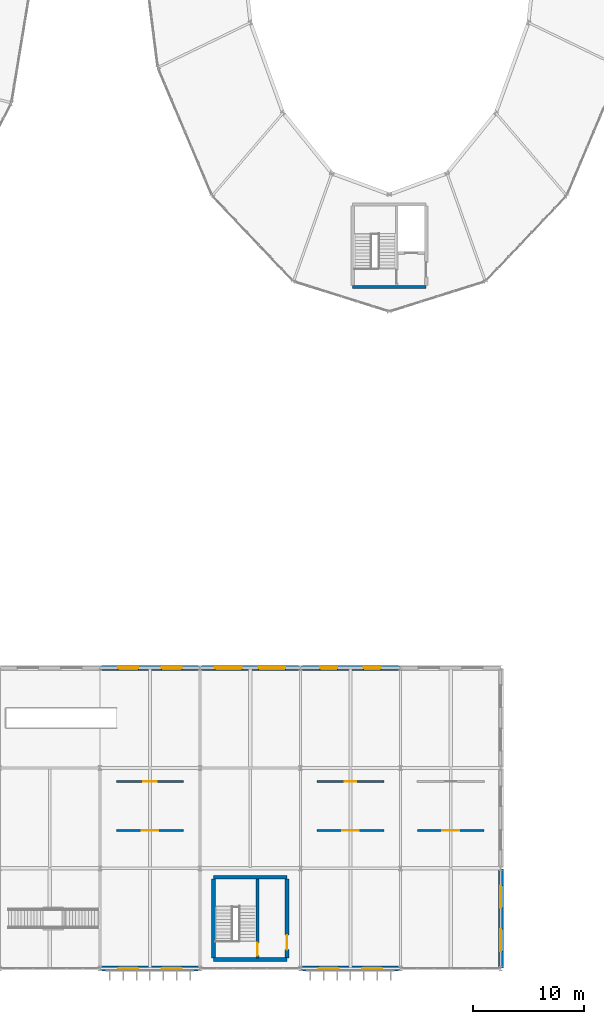
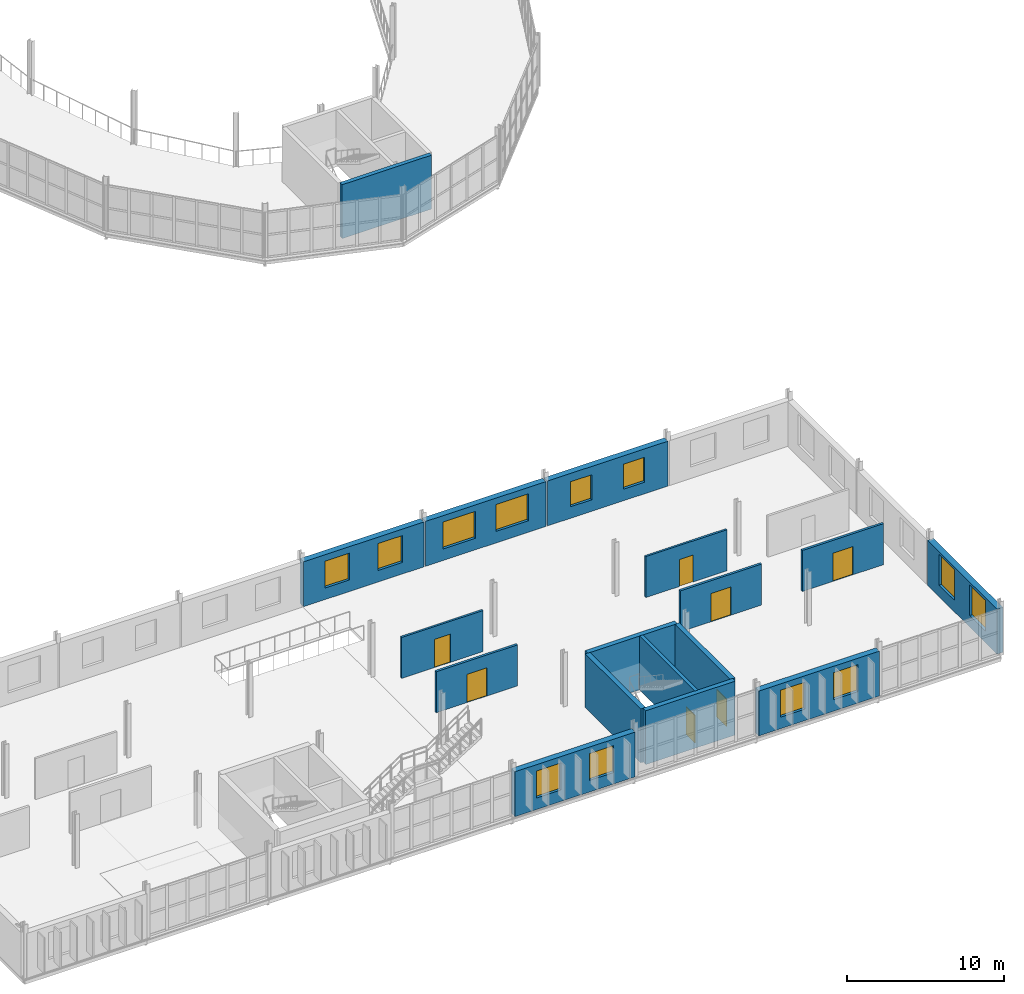
# One storey, part 140 of 161: 17 walls, 12 windows, 7 doors, 19 openings.
"""IFC4 building model written with IfcOpenShell, lengths in metres."""

from ifc_helpers import new_model, si_unit, direction, frame, frame_2d, origin, place, context, subcontext, project, spatial, rectangle, extrude, material, layer, layer_set, type_object, element, fill, save


model = new_model("IFC4")

# Units and contexts
model_context = context("Model", 3, precision=1e-05, world=origin(), true_north=direction((0.0, 1.0)))
body_context = subcontext(model_context, "Body", "Model", "MODEL_VIEW")
ifc_project = project(units=[si_unit("LENGTHUNIT", "METRE"), si_unit("AREAUNIT", "SQUARE_METRE"), si_unit("VOLUMEUNIT", "CUBIC_METRE"), si_unit("PLANEANGLEUNIT", "RADIAN"), si_unit("MASSUNIT", "GRAM", prefix="KILO")], contexts=[model_context])

# Site, building, storey
site_placement = place(None, origin())
site = spatial("IfcSite", under=ifc_project, at=site_placement, CompositionType="ELEMENT")
building_placement = place(site_placement, origin())
building = spatial("IfcBuilding", under=site, at=building_placement, Name="Kildeholm Park Wholesale Market", CompositionType="ELEMENT")
storey_placement = place(building_placement, frame((0.0, 0.0, 5.39990234375)))
storey = spatial("IfcBuildingStorey", under=building, at=storey_placement, Name="L01", CompositionType="ELEMENT", Elevation=5.39990234375)

# Wall, openings, windows
ifc_material_1 = material(Name="Insulated clinker brick and glazed ceramic mosaic facade wall", Category="masonry")
ifc_layer_1 = layer(ifc_material_1, 0.43994140625)
ifc_layer_set_1 = layer_set([ifc_layer_1], Name="Insulated clinker brick and glazed ceramic mosaic facade wall")
wall_type_1 = type_object("IfcWallType", Name="Exterior wall W-EX3 440 mm", PredefinedType="SOLIDWALL", material=ifc_layer_set_1)
wall_1_placement = place(storey_placement, frame((162.06005859375, 0.0, 0.0), z_axis=(0.0, 0.0, 1.0), x_axis=(1.0, 0.0, 0.0)))
wall_1 = element("IfcWall", 1, at=wall_1_placement, inside=storey, type_object=wall_type_1, Name="Exterior wall V5E-L01-S05.1 WL-0595", PredefinedType="SOLIDWALL", context=body_context, shape_type="SweptSolid", body=[
    extrude(rectangle(XDim=8.8798828125, YDim=0.43994140625, at=frame_2d((4.43994140625, 0.0))), origin(), (0.0, 0.0, 1.0), 3.5),
])
opening_1_placement = place(wall_1_placement, frame((1.5859375, 0.0, 0.89990234375)))
opening_1 = element("IfcOpeningElement", 2, at=opening_1_placement, cuts=wall_1, Name="Opening WN-02", PredefinedType="OPENING", context=body_context, shape_type="SweptSolid", body=[
    extrude(rectangle(XDim=1.800048828125, YDim=2.10009765625, at=frame_2d((0.89990234375, 1.050048828125))), frame((0.0, 0.22998046875, 0.0), z_axis=(0.0, -1.0, 0.0), x_axis=(1.0, 0.0, 0.0)), (0.0, 0.0, 1.0), 0.4599609375),
])
opening_2_placement = place(wall_1_placement, frame((5.493896484375, 0.0, 0.89990234375)))
opening_2 = element("IfcOpeningElement", 3, at=opening_2_placement, cuts=wall_1, Name="Opening WN-02", PredefinedType="OPENING", context=body_context, shape_type="SweptSolid", body=[
    extrude(rectangle(XDim=1.800048828125, YDim=2.10009765625, at=frame_2d((0.89990234375, 1.050048828125))), frame((0.0, 0.22998046875, 0.0), z_axis=(0.0, -1.0, 0.0), x_axis=(1.0, 0.0, 0.0)), (0.0, 0.0, 1.0), 0.4599609375),
])
ifc_material_2 = material(Name="Thermally broken aluminium and triple-glazed low-E glass", Category="aluminium")
window_type_1 = type_object("IfcWindowType", Name="Window WN-02 1800x2100", PartitioningType="DOUBLE_PANEL_VERTICAL", PredefinedType="WINDOW", material=ifc_material_2)
window_1_placement = place(opening_1_placement, origin())
window_1 = element("IfcWindow", 4, at=window_1_placement, inside=storey, type_object=window_type_1, Name="Window V5E-L01-S05.1.1 WIN-0384", OverallHeight=2.10009765625, OverallWidth=1.800048828125, PartitioningType="SINGLE_PANEL", PredefinedType="WINDOW", context=body_context, shape_type="SweptSolid", body=[
    extrude(rectangle(XDim=1.800048828125, YDim=2.10009765625, at=frame_2d((0.89990234375, 1.050048828125))), frame((0.0, 0.030029296875, 0.0), z_axis=(0.0, -1.0, 0.0), x_axis=(1.0, 0.0, 0.0)), (0.0, 0.0, 1.0), 0.06005859375),
])
fill(opening_1, window_1)
window_2_placement = place(opening_2_placement, origin())
window_2 = element("IfcWindow", 5, at=window_2_placement, inside=storey, type_object=window_type_1, Name="Window V5E-L01-S05.1.2 WIN-0385", OverallHeight=2.10009765625, OverallWidth=1.800048828125, PartitioningType="SINGLE_PANEL", PredefinedType="WINDOW", context=body_context, shape_type="SweptSolid", body=[
    extrude(rectangle(XDim=1.800048828125, YDim=2.10009765625, at=frame_2d((0.89990234375, 1.050048828125))), frame((0.0, 0.030029296875, 0.0), z_axis=(0.0, -1.0, 0.0), x_axis=(1.0, 0.0, 0.0)), (0.0, 0.0, 1.0), 0.06005859375),
])
fill(opening_2, window_2)

wall_2_placement = place(storey_placement, frame((180.06005859375, 0.0, 0.0), z_axis=(0.0, 0.0, 1.0), x_axis=(1.0, 0.0, 0.0)))
wall_2 = element("IfcWall", 6, at=wall_2_placement, inside=storey, type_object=wall_type_1, Name="Exterior wall V5E-L01-S07.1 WL-0596", PredefinedType="SOLIDWALL", context=body_context, shape_type="SweptSolid", body=[
    extrude(rectangle(XDim=8.8798828125, YDim=0.43994140625, at=frame_2d((4.43994140625, 0.0))), origin(), (0.0, 0.0, 1.0), 3.5),
])
opening_3_placement = place(wall_2_placement, frame((1.5859375, 0.0, 0.89990234375)))
opening_3 = element("IfcOpeningElement", 7, at=opening_3_placement, cuts=wall_2, Name="Opening WN-02", PredefinedType="OPENING", context=body_context, shape_type="SweptSolid", body=[
    extrude(rectangle(XDim=1.800048828125, YDim=2.10009765625, at=frame_2d((0.89990234375, 1.050048828125))), frame((0.0, 0.22998046875, 0.0), z_axis=(0.0, -1.0, 0.0), x_axis=(1.0, 0.0, 0.0)), (0.0, 0.0, 1.0), 0.4599609375),
])
opening_4_placement = place(wall_2_placement, frame((5.493896484375, 0.0, 0.89990234375)))
opening_4 = element("IfcOpeningElement", 8, at=opening_4_placement, cuts=wall_2, Name="Opening WN-02", PredefinedType="OPENING", context=body_context, shape_type="SweptSolid", body=[
    extrude(rectangle(XDim=1.800048828125, YDim=2.10009765625, at=frame_2d((0.89990234375, 1.050048828125))), frame((0.0, 0.22998046875, 0.0), z_axis=(0.0, -1.0, 0.0), x_axis=(1.0, 0.0, 0.0)), (0.0, 0.0, 1.0), 0.4599609375),
])
window_3_placement = place(opening_3_placement, origin())
window_3 = element("IfcWindow", 9, at=window_3_placement, inside=storey, type_object=window_type_1, Name="Window V5E-L01-S07.1.1 WIN-0386", OverallHeight=2.10009765625, OverallWidth=1.800048828125, PartitioningType="SINGLE_PANEL", PredefinedType="WINDOW", context=body_context, shape_type="SweptSolid", body=[
    extrude(rectangle(XDim=1.800048828125, YDim=2.10009765625, at=frame_2d((0.89990234375, 1.050048828125))), frame((0.0, 0.030029296875, 0.0), z_axis=(0.0, -1.0, 0.0), x_axis=(1.0, 0.0, 0.0)), (0.0, 0.0, 1.0), 0.06005859375),
])
fill(opening_3, window_3)
window_4_placement = place(opening_4_placement, origin())
window_4 = element("IfcWindow", 10, at=window_4_placement, inside=storey, type_object=window_type_1, Name="Window V5E-L01-S07.1.2 WIN-0387", OverallHeight=2.10009765625, OverallWidth=1.800048828125, PartitioningType="SINGLE_PANEL", PredefinedType="WINDOW", context=body_context, shape_type="SweptSolid", body=[
    extrude(rectangle(XDim=1.800048828125, YDim=2.10009765625, at=frame_2d((0.89990234375, 1.050048828125))), frame((0.0, 0.030029296875, 0.0), z_axis=(0.0, -1.0, 0.0), x_axis=(1.0, 0.0, 0.0)), (0.0, 0.0, 1.0), 0.06005859375),
])
fill(opening_4, window_4)

wall_3_placement = place(storey_placement, frame((162.06005859375, 27.0, 0.0), z_axis=(0.0, 0.0, 1.0), x_axis=(1.0, 0.0, 0.0)))
wall_3 = element("IfcWall", 11, at=wall_3_placement, inside=storey, type_object=wall_type_1, Name="Exterior wall V5E-L01-N.5 WL-0601", PredefinedType="SOLIDWALL", context=body_context, shape_type="SweptSolid", body=[
    extrude(rectangle(XDim=8.8798828125, YDim=0.43994140625, at=frame_2d((4.43994140625, 0.0))), origin(), (0.0, 0.0, 1.0), 3.5),
])
opening_5_placement = place(wall_3_placement, frame((1.5859375, 0.0, 0.89990234375)))
opening_5 = element("IfcOpeningElement", 12, at=opening_5_placement, cuts=wall_3, Name="Opening WN-02", PredefinedType="OPENING", context=body_context, shape_type="SweptSolid", body=[
    extrude(rectangle(XDim=1.800048828125, YDim=2.10009765625, at=frame_2d((0.89990234375, 1.050048828125))), frame((0.0, 0.22998046875, 0.0), z_axis=(0.0, -1.0, 0.0), x_axis=(1.0, 0.0, 0.0)), (0.0, 0.0, 1.0), 0.4599609375),
])
opening_6_placement = place(wall_3_placement, frame((5.493896484375, 0.0, 0.89990234375)))
opening_6 = element("IfcOpeningElement", 13, at=opening_6_placement, cuts=wall_3, Name="Opening WN-02", PredefinedType="OPENING", context=body_context, shape_type="SweptSolid", body=[
    extrude(rectangle(XDim=1.800048828125, YDim=2.10009765625, at=frame_2d((0.89990234375, 1.050048828125))), frame((0.0, 0.22998046875, 0.0), z_axis=(0.0, -1.0, 0.0), x_axis=(1.0, 0.0, 0.0)), (0.0, 0.0, 1.0), 0.4599609375),
])
window_5_placement = place(opening_5_placement, origin())
window_5 = element("IfcWindow", 14, at=window_5_placement, inside=storey, type_object=window_type_1, Name="Window V5E-L01-N.5.1 WIN-0396", OverallHeight=2.10009765625, OverallWidth=1.800048828125, PartitioningType="SINGLE_PANEL", PredefinedType="WINDOW", context=body_context, shape_type="SweptSolid", body=[
    extrude(rectangle(XDim=1.800048828125, YDim=2.10009765625, at=frame_2d((0.89990234375, 1.050048828125))), frame((0.0, 0.030029296875, 0.0), z_axis=(0.0, -1.0, 0.0), x_axis=(1.0, 0.0, 0.0)), (0.0, 0.0, 1.0), 0.06005859375),
])
fill(opening_5, window_5)
window_6_placement = place(opening_6_placement, origin())
window_6 = element("IfcWindow", 15, at=window_6_placement, inside=storey, type_object=window_type_1, Name="Window V5E-L01-N.5.2 WIN-0397", OverallHeight=2.10009765625, OverallWidth=1.800048828125, PartitioningType="SINGLE_PANEL", PredefinedType="WINDOW", context=body_context, shape_type="SweptSolid", body=[
    extrude(rectangle(XDim=1.800048828125, YDim=2.10009765625, at=frame_2d((0.89990234375, 1.050048828125))), frame((0.0, 0.030029296875, 0.0), z_axis=(0.0, -1.0, 0.0), x_axis=(1.0, 0.0, 0.0)), (0.0, 0.0, 1.0), 0.06005859375),
])
fill(opening_6, window_6)

wall_4_placement = place(storey_placement, frame((171.06005859375, 27.0, 0.0), z_axis=(0.0, 0.0, 1.0), x_axis=(1.0, 0.0, 0.0)))
wall_4 = element("IfcWall", 16, at=wall_4_placement, inside=storey, type_object=wall_type_1, Name="Exterior wall V5E-L01-N.6 WL-0602", PredefinedType="SOLIDWALL", context=body_context, shape_type="SweptSolid", body=[
    extrude(rectangle(XDim=8.8798828125, YDim=0.43994140625, at=frame_2d((4.43994140625, 0.0))), origin(), (0.0, 0.0, 1.0), 3.5),
])
opening_7_placement = place(wall_4_placement, frame((1.285888671875, 0.0, 0.89990234375)))
opening_7 = element("IfcOpeningElement", 17, at=opening_7_placement, cuts=wall_4, Name="Opening WN-04", PredefinedType="OPENING", context=body_context, shape_type="SweptSolid", body=[
    extrude(rectangle(XDim=2.39990234375, YDim=2.10009765625, at=frame_2d((1.199951171875, 1.050048828125))), frame((0.0, 0.22998046875, 0.0), z_axis=(0.0, -1.0, 0.0), x_axis=(1.0, 0.0, 0.0)), (0.0, 0.0, 1.0), 0.4599609375),
])
opening_8_placement = place(wall_4_placement, frame((5.194091796875, 0.0, 0.89990234375)))
opening_8 = element("IfcOpeningElement", 18, at=opening_8_placement, cuts=wall_4, Name="Opening WN-04", PredefinedType="OPENING", context=body_context, shape_type="SweptSolid", body=[
    extrude(rectangle(XDim=2.39990234375, YDim=2.10009765625, at=frame_2d((1.199951171875, 1.050048828125))), frame((0.0, 0.22998046875, 0.0), z_axis=(0.0, -1.0, 0.0), x_axis=(1.0, 0.0, 0.0)), (0.0, 0.0, 1.0), 0.4599609375),
])
window_type_2 = type_object("IfcWindowType", Name="Window WN-04 2400x2100", PartitioningType="TRIPLE_PANEL_VERTICAL", PredefinedType="WINDOW", material=ifc_material_2)
window_7_placement = place(opening_7_placement, origin())
window_7 = element("IfcWindow", 19, at=window_7_placement, inside=storey, type_object=window_type_2, Name="Window V5E-L01-N.6.1 WIN-0398", OverallHeight=2.10009765625, OverallWidth=2.39990234375, PartitioningType="SINGLE_PANEL", PredefinedType="WINDOW", context=body_context, shape_type="SweptSolid", body=[
    extrude(rectangle(XDim=2.39990234375, YDim=2.10009765625, at=frame_2d((1.199951171875, 1.050048828125))), frame((0.0, 0.030029296875, 0.0), z_axis=(0.0, -1.0, 0.0), x_axis=(1.0, 0.0, 0.0)), (0.0, 0.0, 1.0), 0.06005859375),
])
fill(opening_7, window_7)
window_8_placement = place(opening_8_placement, origin())
window_8 = element("IfcWindow", 20, at=window_8_placement, inside=storey, type_object=window_type_2, Name="Window V5E-L01-N.6.2 WIN-0399", OverallHeight=2.10009765625, OverallWidth=2.39990234375, PartitioningType="SINGLE_PANEL", PredefinedType="WINDOW", context=body_context, shape_type="SweptSolid", body=[
    extrude(rectangle(XDim=2.39990234375, YDim=2.10009765625, at=frame_2d((1.199951171875, 1.050048828125))), frame((0.0, 0.030029296875, 0.0), z_axis=(0.0, -1.0, 0.0), x_axis=(1.0, 0.0, 0.0)), (0.0, 0.0, 1.0), 0.06005859375),
])
fill(opening_8, window_8)

wall_5_placement = place(storey_placement, frame((180.06005859375, 27.0, 0.0), z_axis=(0.0, 0.0, 1.0), x_axis=(1.0, 0.0, 0.0)))
wall_5 = element("IfcWall", 21, at=wall_5_placement, inside=storey, type_object=wall_type_1, Name="Exterior wall V5E-L01-N.7 WL-0603", PredefinedType="SOLIDWALL", context=body_context, shape_type="SweptSolid", body=[
    extrude(rectangle(XDim=8.8798828125, YDim=0.43994140625, at=frame_2d((4.43994140625, 0.0))), origin(), (0.0, 0.0, 1.0), 3.5),
])
opening_9_placement = place(wall_5_placement, frame((1.7109375, 0.0, 0.89990234375)))
opening_9 = element("IfcOpeningElement", 22, at=opening_9_placement, cuts=wall_5, Name="Opening WN-29", PredefinedType="OPENING", context=body_context, shape_type="SweptSolid", body=[
    extrude(rectangle(XDim=1.550048828125, YDim=1.949951171875, at=frame_2d((0.77490234375, 0.97509765625))), frame((0.0, 0.22998046875, 0.0), z_axis=(0.0, -1.0, 0.0), x_axis=(1.0, 0.0, 0.0)), (0.0, 0.0, 1.0), 0.4599609375),
])
opening_10_placement = place(wall_5_placement, frame((5.618896484375, 0.0, 0.89990234375)))
opening_10 = element("IfcOpeningElement", 23, at=opening_10_placement, cuts=wall_5, Name="Opening WN-29", PredefinedType="OPENING", context=body_context, shape_type="SweptSolid", body=[
    extrude(rectangle(XDim=1.550048828125, YDim=1.949951171875, at=frame_2d((0.77490234375, 0.97509765625))), frame((0.0, 0.22998046875, 0.0), z_axis=(0.0, -1.0, 0.0), x_axis=(1.0, 0.0, 0.0)), (0.0, 0.0, 1.0), 0.4599609375),
])
window_type_3 = type_object("IfcWindowType", Name="Window WN-29 1550x1950", PartitioningType="DOUBLE_PANEL_VERTICAL", PredefinedType="WINDOW", material=ifc_material_2)
window_9_placement = place(opening_9_placement, origin())
window_9 = element("IfcWindow", 24, at=window_9_placement, inside=storey, type_object=window_type_3, Name="Window V5E-L01-N.7.1 WIN-0400", OverallHeight=1.949951171875, OverallWidth=1.550048828125, PartitioningType="SINGLE_PANEL", PredefinedType="WINDOW", context=body_context, shape_type="SweptSolid", body=[
    extrude(rectangle(XDim=1.550048828125, YDim=1.949951171875, at=frame_2d((0.77490234375, 0.97509765625))), frame((0.0, 0.030029296875, 0.0), z_axis=(0.0, -1.0, 0.0), x_axis=(1.0, 0.0, 0.0)), (0.0, 0.0, 1.0), 0.06005859375),
])
fill(opening_9, window_9)
window_10_placement = place(opening_10_placement, origin())
window_10 = element("IfcWindow", 25, at=window_10_placement, inside=storey, type_object=window_type_3, Name="Window V5E-L01-N.7.2 WIN-0401", OverallHeight=1.949951171875, OverallWidth=1.550048828125, PartitioningType="SINGLE_PANEL", PredefinedType="WINDOW", context=body_context, shape_type="SweptSolid", body=[
    extrude(rectangle(XDim=1.550048828125, YDim=1.949951171875, at=frame_2d((0.77490234375, 0.97509765625))), frame((0.0, 0.030029296875, 0.0), z_axis=(0.0, -1.0, 0.0), x_axis=(1.0, 0.0, 0.0)), (0.0, 0.0, 1.0), 0.06005859375),
])
fill(opening_10, window_10)

wall_6_placement = place(storey_placement, frame((198.0, 0.06005859375, 0.0), z_axis=(0.0, 0.0, 1.0), x_axis=(0.0, 1.0, 0.0)))
wall_6 = element("IfcWall", 26, at=wall_6_placement, inside=storey, type_object=wall_type_1, Name="Exterior wall V5E-L01-E.1 WL-0608", PredefinedType="SOLIDWALL", context=body_context, shape_type="SweptSolid", body=[
    extrude(rectangle(XDim=8.8798828125, YDim=0.43994140625, at=frame_2d((4.43994140625, 0.0))), origin(), (0.0, 0.0, 1.0), 3.5),
])
opening_11_placement = place(wall_6_placement, frame((1.486083984375, 0.0, 0.89990234375)))
opening_11 = element("IfcOpeningElement", 27, at=opening_11_placement, cuts=wall_6, Name="Opening WN-16", PredefinedType="OPENING", context=body_context, shape_type="SweptSolid", body=[
    extrude(rectangle(XDim=2.0, YDim=2.39990234375, at=frame_2d((1.0, 1.199951171875))), frame((0.0, 0.22998046875, 0.0), z_axis=(0.0, -1.0, 0.0), x_axis=(1.0, 0.0, 0.0)), (0.0, 0.0, 1.0), 0.4599609375),
])
opening_12_placement = place(wall_6_placement, frame((5.39404296875, 0.0, 0.89990234375)))
opening_12 = element("IfcOpeningElement", 28, at=opening_12_placement, cuts=wall_6, Name="Opening WN-16", PredefinedType="OPENING", context=body_context, shape_type="SweptSolid", body=[
    extrude(rectangle(XDim=2.0, YDim=2.39990234375, at=frame_2d((1.0, 1.199951171875))), frame((0.0, 0.22998046875, 0.0), z_axis=(0.0, -1.0, 0.0), x_axis=(1.0, 0.0, 0.0)), (0.0, 0.0, 1.0), 0.4599609375),
])
window_type_4 = type_object("IfcWindowType", Name="Window WN-16 2000x2400", PartitioningType="TRIPLE_PANEL_VERTICAL", PredefinedType="WINDOW", material=ifc_material_2)
window_11_placement = place(opening_11_placement, origin())
window_11 = element("IfcWindow", 29, at=window_11_placement, inside=storey, type_object=window_type_4, Name="Window V5E-L01-E.1.1 WIN-0408", OverallHeight=2.39990234375, OverallWidth=2.0, PartitioningType="SINGLE_PANEL", PredefinedType="WINDOW", context=body_context, shape_type="SweptSolid", body=[
    extrude(rectangle(XDim=2.0, YDim=2.39990234375, at=frame_2d((1.0, 1.199951171875))), frame((0.0, 0.030029296875, 0.0), z_axis=(0.0, -1.0, 0.0), x_axis=(1.0, 0.0, 0.0)), (0.0, 0.0, 1.0), 0.06005859375),
])
fill(opening_11, window_11)
window_12_placement = place(opening_12_placement, origin())
window_12 = element("IfcWindow", 30, at=window_12_placement, inside=storey, type_object=window_type_4, Name="Window V5E-L01-E.1.2 WIN-0409", OverallHeight=2.39990234375, OverallWidth=2.0, PartitioningType="SINGLE_PANEL", PredefinedType="WINDOW", context=body_context, shape_type="SweptSolid", body=[
    extrude(rectangle(XDim=2.0, YDim=2.39990234375, at=frame_2d((1.0, 1.199951171875))), frame((0.0, 0.030029296875, 0.0), z_axis=(0.0, -1.0, 0.0), x_axis=(1.0, 0.0, 0.0)), (0.0, 0.0, 1.0), 0.06005859375),
])
fill(opening_12, window_12)

# Wall, opening, door
ifc_material_3 = material(Name="Fire-rated corridor and lobby partition")
ifc_layer_2 = layer(ifc_material_3, 0.14990234375)
ifc_layer_set_2 = layer_set([ifc_layer_2], Name="Fire-rated corridor and lobby partition")
wall_type_2 = type_object("IfcWallType", Name="Partition W-PT04 150 mm", PredefinedType="PARTITIONING", material=ifc_layer_set_2)
wall_7_placement = place(storey_placement, frame((163.5, 16.800048828125, 0.0), z_axis=(0.0, 0.0, 1.0), x_axis=(1.0, 0.0, 0.0)))
wall_7 = element("IfcWall", 31, at=wall_7_placement, inside=storey, type_object=wall_type_2, Name="Interior partition W-V5E-L01-CN5 WL-1041", PredefinedType="PARTITIONING", context=body_context, shape_type="SweptSolid", body=[
    extrude(rectangle(XDim=6.0, YDim=0.14990234375, at=frame_2d((3.0, 0.0))), origin(), (0.0, 0.0, 1.0), 3.2001953125),
])
opening_13_placement = place(wall_7_placement, frame((2.39990234375, 0.0, 0.0)))
opening_13 = element("IfcOpeningElement", 32, at=opening_13_placement, cuts=wall_7, Name="Opening D-IN11", PredefinedType="OPENING", context=body_context, shape_type="SweptSolid", body=[
    extrude(rectangle(XDim=1.199951171875, YDim=2.199951171875, at=frame_2d((0.60009765625, 1.10009765625))), frame((0.0, 0.0849609375, 0.0), z_axis=(0.0, -1.0, 0.0), x_axis=(1.0, 0.0, 0.0)), (0.0, 0.0, 1.0), 0.169921875),
])
ifc_material_4 = material(Name="Culinary workshop glazed doorset")
door_type_1 = type_object("IfcDoorType", Name="Interior door D-IN11 1200x2200", OperationType="NOTDEFINED", PredefinedType="DOOR", material=ifc_material_4)
door_1_placement = place(opening_13_placement, origin())
door_1 = element("IfcDoor", 33, at=door_1_placement, inside=storey, type_object=door_type_1, Name="Interior door V5E-L01-CN5 DR-0316 WL-1041", OperationType="SINGLE_SWING_RIGHT", OverallHeight=2.199951171875, OverallWidth=1.199951171875, PredefinedType="DOOR", context=body_context, shape_type="SweptSolid", body=[
    extrude(rectangle(XDim=1.199951171875, YDim=2.199951171875, at=frame_2d((0.60009765625, 1.10009765625))), frame((0.0, 0.02490234375, 0.0), z_axis=(0.0, -1.0, 0.0), x_axis=(1.0, 0.0, 0.0)), (0.0, 0.0, 1.0), 0.050048828125),
])
fill(opening_13, door_1)

wall_8_placement = place(storey_placement, frame((181.5, 16.800048828125, 0.0), z_axis=(0.0, 0.0, 1.0), x_axis=(1.0, 0.0, 0.0)))
wall_8 = element("IfcWall", 34, at=wall_8_placement, inside=storey, type_object=wall_type_2, Name="Interior partition W-V5E-L01-CN7 WL-1043", PredefinedType="PARTITIONING", context=body_context, shape_type="SweptSolid", body=[
    extrude(rectangle(XDim=6.0, YDim=0.14990234375, at=frame_2d((3.0, 0.0))), origin(), (0.0, 0.0, 1.0), 3.2001953125),
])
opening_14_placement = place(wall_8_placement, frame((2.5, 0.0, 0.0)))
opening_14 = element("IfcOpeningElement", 35, at=opening_14_placement, cuts=wall_8, Name="Opening D-IN02", PredefinedType="OPENING", context=body_context, shape_type="SweptSolid", body=[
    extrude(rectangle(XDim=1.0, YDim=2.10009765625, at=frame_2d((0.5, 1.050048828125))), frame((0.0, 0.0849609375, 0.0), z_axis=(0.0, -1.0, 0.0), x_axis=(1.0, 0.0, 0.0)), (0.0, 0.0, 1.0), 0.169921875),
])
ifc_material_5 = material(Name="Hygienic laminate accessible WC doorset")
door_type_2 = type_object("IfcDoorType", Name="Interior door D-IN02 1000x2100", OperationType="NOTDEFINED", PredefinedType="DOOR", material=ifc_material_5)
door_2_placement = place(opening_14_placement, origin())
door_2 = element("IfcDoor", 36, at=door_2_placement, inside=storey, type_object=door_type_2, Name="Interior door V5E-L01-CN7 DR-0318 WL-1043", OperationType="SINGLE_SWING_RIGHT", OverallHeight=2.10009765625, OverallWidth=1.0, PredefinedType="DOOR", context=body_context, shape_type="SweptSolid", body=[
    extrude(rectangle(XDim=1.0, YDim=2.10009765625, at=frame_2d((0.5, 1.050048828125))), frame((0.0, 0.02490234375, 0.0), z_axis=(0.0, -1.0, 0.0), x_axis=(1.0, 0.0, 0.0)), (0.0, 0.0, 1.0), 0.050048828125),
])
fill(opening_14, door_2)

ifc_material_6 = material(Name="Commercial kitchen fire and hygiene wall")
ifc_layer_3 = layer(ifc_material_6, 0.175048828125)
ifc_layer_set_3 = layer_set([ifc_layer_3], Name="Commercial kitchen fire and hygiene wall")
wall_type_3 = type_object("IfcWallType", Name="Partition W-PT13 175 mm", PredefinedType="PARTITIONING", material=ifc_layer_set_3)
wall_9_placement = place(storey_placement, frame((163.5, 12.39990234375, 0.0), z_axis=(0.0, 0.0, 1.0), x_axis=(1.0, 0.0, 0.0)))
wall_9 = element("IfcWall", 37, at=wall_9_placement, inside=storey, type_object=wall_type_3, Name="Interior partition W-V5E-L01-CS5 WL-1040", PredefinedType="PARTITIONING", context=body_context, shape_type="SweptSolid", body=[
    extrude(rectangle(XDim=6.0, YDim=0.175048828125, at=frame_2d((3.0, 0.0))), origin(), (0.0, 0.0, 1.0), 3.2001953125),
])
opening_15_placement = place(wall_9_placement, frame((2.25, 0.0, 0.0)))
opening_15 = element("IfcOpeningElement", 38, at=opening_15_placement, cuts=wall_9, Name="Opening D-IN05", PredefinedType="OPENING", context=body_context, shape_type="SweptSolid", body=[
    extrude(rectangle(XDim=1.5, YDim=2.199951171875, at=frame_2d((0.75, 1.10009765625))), frame((0.0, 0.097412109375, 0.0), z_axis=(0.0, -1.0, 0.0), x_axis=(1.0, 0.0, 0.0)), (0.0, 0.0, 1.0), 0.195068359375),
])
ifc_material_7 = material(Name="Double-leaf canteen and kitchen doorset")
door_type_3 = type_object("IfcDoorType", Name="Interior door D-IN05 1500x2200", OperationType="NOTDEFINED", PredefinedType="DOOR", material=ifc_material_7)
door_3_placement = place(opening_15_placement, origin())
door_3 = element("IfcDoor", 39, at=door_3_placement, inside=storey, type_object=door_type_3, Name="Interior door V5E-L01-CS5 DR-0315 WL-1040", OperationType="DOUBLE_DOOR_SINGLE_SWING", OverallHeight=2.199951171875, OverallWidth=1.5, PredefinedType="DOOR", context=body_context, shape_type="SweptSolid", body=[
    extrude(rectangle(XDim=1.5, YDim=2.199951171875, at=frame_2d((0.75, 1.10009765625))), frame((0.0, 0.02490234375, 0.0), z_axis=(0.0, -1.0, 0.0), x_axis=(1.0, 0.0, 0.0)), (0.0, 0.0, 1.0), 0.050048828125),
])
fill(opening_15, door_3)

wall_10_placement = place(storey_placement, frame((181.5, 12.39990234375, 0.0), z_axis=(0.0, 0.0, 1.0), x_axis=(1.0, 0.0, 0.0)))
wall_10 = element("IfcWall", 40, at=wall_10_placement, inside=storey, type_object=wall_type_3, Name="Interior partition W-V5E-L01-CS7 WL-1042", PredefinedType="PARTITIONING", context=body_context, shape_type="SweptSolid", body=[
    extrude(rectangle(XDim=6.0, YDim=0.175048828125, at=frame_2d((3.0, 0.0))), origin(), (0.0, 0.0, 1.0), 3.2001953125),
])
opening_16_placement = place(wall_10_placement, frame((2.25, 0.0, 0.0)))
opening_16 = element("IfcOpeningElement", 41, at=opening_16_placement, cuts=wall_10, Name="Opening D-IN05", PredefinedType="OPENING", context=body_context, shape_type="SweptSolid", body=[
    extrude(rectangle(XDim=1.5, YDim=2.199951171875, at=frame_2d((0.75, 1.10009765625))), frame((0.0, 0.097412109375, 0.0), z_axis=(0.0, -1.0, 0.0), x_axis=(1.0, 0.0, 0.0)), (0.0, 0.0, 1.0), 0.195068359375),
])
door_4_placement = place(opening_16_placement, origin())
door_4 = element("IfcDoor", 42, at=door_4_placement, inside=storey, type_object=door_type_3, Name="Interior door V5E-L01-CS7 DR-0317 WL-1042", OperationType="DOUBLE_DOOR_SINGLE_SWING", OverallHeight=2.199951171875, OverallWidth=1.5, PredefinedType="DOOR", context=body_context, shape_type="SweptSolid", body=[
    extrude(rectangle(XDim=1.5, YDim=2.199951171875, at=frame_2d((0.75, 1.10009765625))), frame((0.0, 0.02490234375, 0.0), z_axis=(0.0, -1.0, 0.0), x_axis=(1.0, 0.0, 0.0)), (0.0, 0.0, 1.0), 0.050048828125),
])
fill(opening_16, door_4)

wall_11_placement = place(storey_placement, frame((190.5, 12.39990234375, 0.0), z_axis=(0.0, 0.0, 1.0), x_axis=(1.0, 0.0, 0.0)))
wall_11 = element("IfcWall", 43, at=wall_11_placement, inside=storey, type_object=wall_type_3, Name="Interior partition W-V5E-L01-CS8 WL-1044", PredefinedType="PARTITIONING", context=body_context, shape_type="SweptSolid", body=[
    extrude(rectangle(XDim=6.0, YDim=0.175048828125, at=frame_2d((3.0, 0.0))), origin(), (0.0, 0.0, 1.0), 3.2001953125),
])
opening_17_placement = place(wall_11_placement, frame((2.25, 0.0, 0.0)))
opening_17 = element("IfcOpeningElement", 44, at=opening_17_placement, cuts=wall_11, Name="Opening D-IN05", PredefinedType="OPENING", context=body_context, shape_type="SweptSolid", body=[
    extrude(rectangle(XDim=1.5, YDim=2.199951171875, at=frame_2d((0.75, 1.10009765625))), frame((0.0, 0.097412109375, 0.0), z_axis=(0.0, -1.0, 0.0), x_axis=(1.0, 0.0, 0.0)), (0.0, 0.0, 1.0), 0.195068359375),
])
door_5_placement = place(opening_17_placement, origin())
door_5 = element("IfcDoor", 45, at=door_5_placement, inside=storey, type_object=door_type_3, Name="Interior door V5E-L01-CS8 DR-0319 WL-1044", OperationType="DOUBLE_DOOR_SINGLE_SWING", OverallHeight=2.199951171875, OverallWidth=1.5, PredefinedType="DOOR", context=body_context, shape_type="SweptSolid", body=[
    extrude(rectangle(XDim=1.5, YDim=2.199951171875, at=frame_2d((0.75, 1.10009765625))), frame((0.0, 0.02490234375, 0.0), z_axis=(0.0, -1.0, 0.0), x_axis=(1.0, 0.0, 0.0)), (0.0, 0.0, 1.0), 0.050048828125),
])
fill(opening_17, door_5)

# Wall
ifc_material_8 = material(Name="Concrete C40/50", Category="concrete")
ifc_layer_4 = layer(ifc_material_8, 0.300048828125)
ifc_layer_set_4 = layer_set([ifc_layer_4], Name="Concrete C40/50")
wall_type_4 = type_object("IfcWallType", Name="Shear wall W-SH1 300 mm", PredefinedType="SHEAR", material=ifc_layer_set_4)
wall_12_placement = place(storey_placement, frame((184.699951171875, 61.199951171875, 0.0), z_axis=(0.0, 0.0, 1.0), x_axis=(1.0, 0.0, 0.0)))
element("IfcWall", 46, at=wall_12_placement, inside=storey, type_object=wall_type_4, Name="Core C12 south shear wall L01 WL-0864", PredefinedType="SHEAR", context=body_context, shape_type="SweptSolid", body=[
    extrude(rectangle(XDim=6.60009765625, YDim=0.300048828125, at=frame_2d((3.300048828125, 0.0))), origin(), (0.0, 0.0, 1.0), 4.2001953125),
])

# Wall, opening, door
ifc_layer_5 = layer(ifc_material_8, 0.25)
ifc_layer_set_5 = layer_set([ifc_layer_5], Name="Concrete C40/50")
wall_type_5 = type_object("IfcWallType", Name="Shear wall W-SH2 250 mm", PredefinedType="SHEAR", material=ifc_layer_set_5)
wall_13_placement = place(storey_placement, frame((176.14990234375, 0.949951171875, 0.0), z_axis=(0.0, 0.0, 1.0), x_axis=(0.0, 1.0, 0.0)))
wall_13 = element("IfcWall", 47, at=wall_13_placement, inside=storey, type_object=wall_type_5, Name="Core C07 shaft wall L01 WL-0781", PredefinedType="SHEAR", context=body_context, shape_type="SweptSolid", body=[
    extrude(rectangle(XDim=7.10009765625, YDim=0.25, at=frame_2d((3.550048828125, 0.0))), origin(), (0.0, 0.0, 1.0), 4.2001953125),
])
opening_18_placement = place(wall_13_placement, frame((0.199951171875, 0.0, 0.0)))
opening_18 = element("IfcOpeningElement", 48, at=opening_18_placement, cuts=wall_13, Name="Opening D-CR01", PredefinedType="OPENING", context=body_context, shape_type="SweptSolid", body=[
    extrude(rectangle(XDim=1.14990234375, YDim=2.14990234375, at=frame_2d((0.574951171875, 1.074951171875))), frame((0.0, 0.135009765625, 0.0), z_axis=(0.0, -1.0, 0.0), x_axis=(1.0, 0.0, 0.0)), (0.0, 0.0, 1.0), 0.27001953125),
])
ifc_material_9 = material(Name="Painted steel fire escape doorset", Category="steel")
door_type_4 = type_object("IfcDoorType", Name="Interior door D-CR01 1150x2150", OperationType="NOTDEFINED", PredefinedType="DOOR", material=ifc_material_9)
door_6_placement = place(opening_18_placement, frame((1.14990234375, 0.0, 0.0), z_axis=(0.0, 0.0, 1.0), x_axis=(-1.0, 0.0, 0.0)))
door_6 = element("IfcDoor", 49, at=door_6_placement, inside=storey, type_object=door_type_4, Name="Core C07 stair fire door L01 DR-0141 WL-0781", OperationType="SINGLE_SWING_RIGHT", OverallHeight=2.14990234375, OverallWidth=1.14990234375, PredefinedType="DOOR", context=body_context, shape_type="SweptSolid", body=[
    extrude(rectangle(XDim=1.14990234375, YDim=2.14990234375, at=frame_2d((0.574951171875, 1.074951171875))), frame((0.0, 0.02490234375, 0.0), z_axis=(0.0, -1.0, 0.0), x_axis=(1.0, 0.0, 0.0)), (0.0, 0.0, 1.0), 0.050048828125),
])
fill(opening_18, door_6)

# Walls
ifc_layer_6 = layer(ifc_material_8, 0.35009765625)
ifc_layer_set_6 = layer_set([ifc_layer_6], Name="Concrete C40/50")
wall_type_6 = type_object("IfcWallType", Name="Shear wall W-SH3 350 mm", PredefinedType="SHEAR", material=ifc_layer_set_6)
for number, where, z_axis, x_axis, name in (
    (50, (172.199951171875, 0.800048828125, 0.0), (0.0, 0.0, 1.0), (1.0, 0.0, 0.0), "Core C07 south shear wall L01 WL-0777"),
    (51, (172.199951171875, 8.199951171875, 0.0), (0.0, 0.0, 1.0), (1.0, 0.0, 0.0), "Core C07 north shear wall L01 WL-0778"),
):
    element("IfcWall", number, at=place(storey_placement, frame(where, z_axis=z_axis, x_axis=x_axis)), inside=storey, type_object=wall_type_6, Name=name, PredefinedType="SHEAR", context=body_context, shape_type="SweptSolid", body=[
        extrude(rectangle(XDim=6.60009765625, YDim=0.35009765625, at=frame_2d((3.300048828125, 0.0))), origin(), (0.0, 0.0, 1.0), 4.2001953125),
    ])
wall_14_placement = place(storey_placement, frame((172.199951171875, 0.949951171875, 0.0), z_axis=(0.0, 0.0, 1.0), x_axis=(0.0, 1.0, 0.0)))
element("IfcWall", 52, at=wall_14_placement, inside=storey, type_object=wall_type_6, Name="Core C07 west shear wall L01 WL-0779", PredefinedType="SHEAR", context=body_context, shape_type="SweptSolid", body=[
    extrude(rectangle(XDim=7.10009765625, YDim=0.35009765625, at=frame_2d((3.550048828125, 0.0))), origin(), (0.0, 0.0, 1.0), 4.2001953125),
])

# Wall, opening, door
wall_15_placement = place(storey_placement, frame((178.800048828125, 0.949951171875, 0.0), z_axis=(0.0, 0.0, 1.0), x_axis=(0.0, 1.0, 0.0)))
wall_15 = element("IfcWall", 53, at=wall_15_placement, inside=storey, type_object=wall_type_6, Name="Core C07 east shear wall L01 WL-0780", PredefinedType="SHEAR", context=body_context, shape_type="SweptSolid", body=[
    extrude(rectangle(XDim=7.10009765625, YDim=0.35009765625, at=frame_2d((3.550048828125, 0.0))), origin(), (0.0, 0.0, 1.0), 4.2001953125),
])
opening_19_placement = place(wall_15_placement, frame((0.75, 0.0, 0.0)))
opening_19 = element("IfcOpeningElement", 54, at=opening_19_placement, cuts=wall_15, Name="Opening D-CR02", PredefinedType="OPENING", context=body_context, shape_type="SweptSolid", body=[
    extrude(rectangle(XDim=1.300048828125, YDim=2.14990234375, at=frame_2d((0.64990234375, 1.074951171875))), frame((0.0, 0.18505859375, 0.0), z_axis=(0.0, -1.0, 0.0), x_axis=(1.0, 0.0, 0.0)), (0.0, 0.0, 1.0), 0.3701171875),
])
ifc_material_10 = material(Name="Painted steel core lobby double-leaf doorset", Category="steel")
door_type_5 = type_object("IfcDoorType", Name="Interior door D-CR02 1300x2150", OperationType="NOTDEFINED", PredefinedType="DOOR", material=ifc_material_10)
door_7_placement = place(opening_19_placement, frame((1.300048828125, 0.0, 0.0), z_axis=(0.0, 0.0, 1.0), x_axis=(-1.0, 0.0, 0.0)))
door_7 = element("IfcDoor", 55, at=door_7_placement, inside=storey, type_object=door_type_5, Name="Core C07 lobby entrance door L01 DR-0140 WL-0780", OperationType="DOUBLE_DOOR_SINGLE_SWING", OverallHeight=2.14990234375, OverallWidth=1.300048828125, PredefinedType="DOOR", context=body_context, shape_type="SweptSolid", body=[
    extrude(rectangle(XDim=1.300048828125, YDim=2.14990234375, at=frame_2d((0.64990234375, 1.074951171875))), frame((0.0, 0.02490234375, 0.0), z_axis=(0.0, -1.0, 0.0), x_axis=(1.0, 0.0, 0.0)), (0.0, 0.0, 1.0), 0.050048828125),
])
fill(opening_19, door_7)

save(model, "model.ifc")
